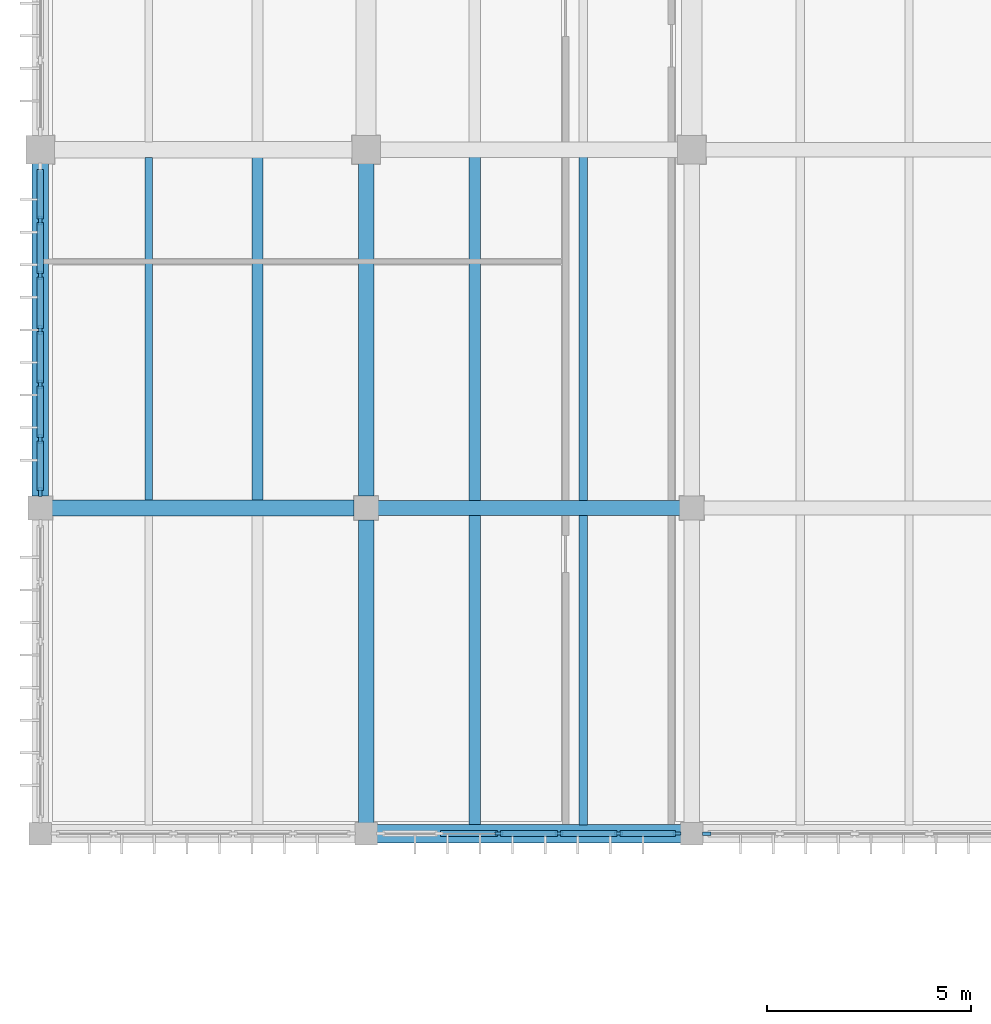
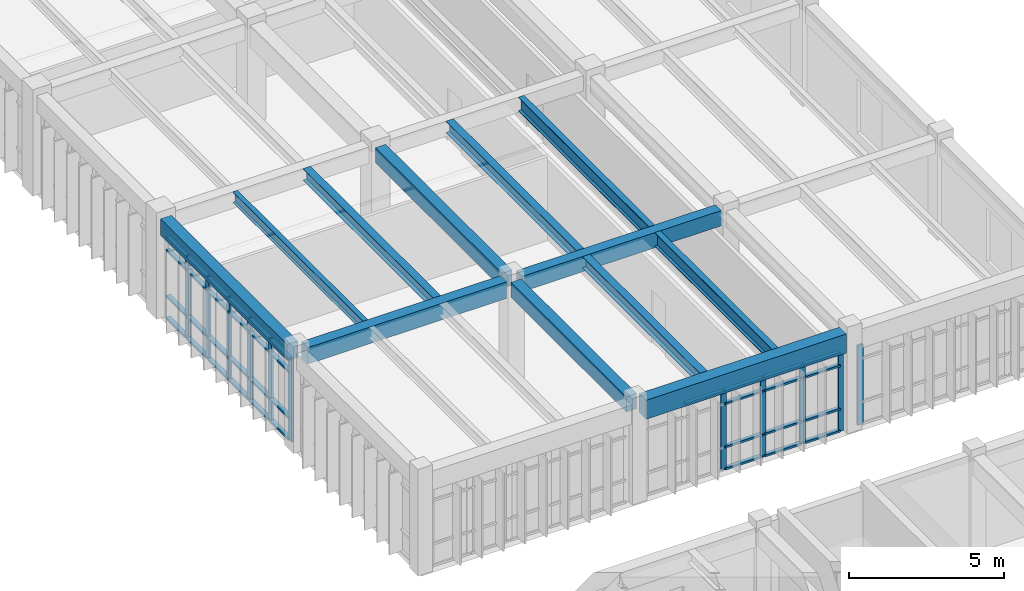
# One storey, part 8 of 67: 48 members, 12 beams, 3 elements without a shape of their own.
"""IFC4 building model written with IfcOpenShell, lengths in metres."""

from ifc_helpers import new_model, si_unit, direction, frame, origin, origin_2d, place, context, subcontext, project, spatial, rectangle, i_section, extrude, material, material_profile, profile_set, type_object, element, aggregate, save


model = new_model("IFC4")

# Units and contexts
model_context = context("Model", 3, precision=1e-05, world=origin(), true_north=direction((0.0, 1.0)))
body_context = subcontext(model_context, "Body", "Model", "MODEL_VIEW")
ifc_project = project(units=[si_unit("LENGTHUNIT", "METRE"), si_unit("AREAUNIT", "SQUARE_METRE"), si_unit("VOLUMEUNIT", "CUBIC_METRE"), si_unit("PLANEANGLEUNIT", "RADIAN"), si_unit("MASSUNIT", "GRAM", prefix="KILO")], contexts=[model_context])

# Site, building, storey
site_placement = place(None, origin())
site = spatial("IfcSite", under=ifc_project, at=site_placement, CompositionType="ELEMENT")
building_placement = place(site_placement, origin())
building = spatial("IfcBuilding", under=site, at=building_placement, Name="Tlaxcora Railside Police Headquarters", CompositionType="ELEMENT")
storey_placement = place(building_placement, frame((0.0, 0.0, 4.800048828125)))
storey = spatial("IfcBuildingStorey", under=building, at=storey_placement, Name="L01", CompositionType="ELEMENT", Elevation=4.800048828125)

# Curtain wall, members
ifc_material_1 = material(Name="Thermally broken low-E insulated glazing", Category="glass")
curtain_wall_type_1 = type_object("IfcCurtainWallType", Name="Unitised Curtain Wall Assembly CW-23", PredefinedType="NOTDEFINED", material=ifc_material_1)
curtain_wall_1_placement = place(storey_placement, origin())
curtain_wall_1 = element("IfcCurtainWall", 1, at=curtain_wall_1_placement, inside=storey, type_object=curtain_wall_type_1, Name="V5 L01 curtain wall 48", PredefinedType="NOTDEFINED")
ifc_material_2 = material(Name="Anodised aluminium framing", Category="aluminium")
ifc_material_profile_1 = material_profile(ifc_material_2, rectangle(XDim=0.080078125, YDim=0.219970703125, at=origin_2d()), Name="AL80X220")
ifc_profile_set_1 = profile_set([ifc_material_profile_1], Name="Anodised aluminium framing")
member_type_1 = type_object("IfcMemberType", Name="Curtain Wall Mullion CW-31", PredefinedType="MULLION", material=ifc_profile_set_1)
member_1_placement = place(storey_placement, frame((5.199951171875, 59.058349609375, 0.0), z_axis=(0.0, 0.0, 1.0), x_axis=(1.0, 0.0, 0.0)))
member_1 = element("IfcMember", 2, at=member_1_placement, type_object=member_type_1, Name="CW mullion 2", PredefinedType="MULLION", context=body_context, shape_type="SweptSolid", body=[
    extrude(rectangle(XDim=0.080078125, YDim=0.219970703125, at=origin_2d()), origin(), (0.0, 0.0, 1.0), 3.239990234375),
])
member_2_placement = place(storey_placement, frame((5.199951171875, 57.716552734375, 0.0), z_axis=(0.0, 0.0, 1.0), x_axis=(1.0, 0.0, 0.0)))
member_2 = element("IfcMember", 3, at=member_2_placement, type_object=member_type_1, Name="CW mullion 3", PredefinedType="MULLION", context=body_context, shape_type="SweptSolid", body=[
    extrude(rectangle(XDim=0.080078125, YDim=0.219970703125, at=origin_2d()), origin(), (0.0, 0.0, 1.0), 3.239990234375),
])
member_3_placement = place(storey_placement, frame((5.199951171875, 56.375, 0.0), z_axis=(0.0, 0.0, 1.0), x_axis=(1.0, 0.0, 0.0)))
member_3 = element("IfcMember", 4, at=member_3_placement, type_object=member_type_1, Name="CW mullion 4", PredefinedType="MULLION", context=body_context, shape_type="SweptSolid", body=[
    extrude(rectangle(XDim=0.080078125, YDim=0.219970703125, at=origin_2d()), origin(), (0.0, 0.0, 1.0), 3.239990234375),
])
member_4_placement = place(storey_placement, frame((5.199951171875, 55.033447265625, 0.0), z_axis=(0.0, 0.0, 1.0), x_axis=(1.0, 0.0, 0.0)))
member_4 = element("IfcMember", 5, at=member_4_placement, type_object=member_type_1, Name="CW mullion 5", PredefinedType="MULLION", context=body_context, shape_type="SweptSolid", body=[
    extrude(rectangle(XDim=0.080078125, YDim=0.219970703125, at=origin_2d()), origin(), (0.0, 0.0, 1.0), 3.239990234375),
])
member_5_placement = place(storey_placement, frame((5.199951171875, 53.691650390625, 0.0), z_axis=(0.0, 0.0, 1.0), x_axis=(1.0, 0.0, 0.0)))
member_5 = element("IfcMember", 6, at=member_5_placement, type_object=member_type_1, Name="CW mullion 6", PredefinedType="MULLION", context=body_context, shape_type="SweptSolid", body=[
    extrude(rectangle(XDim=0.080078125, YDim=0.219970703125, at=origin_2d()), origin(), (0.0, 0.0, 1.0), 3.239990234375),
])
member_6_placement = place(storey_placement, frame((5.199951171875, 52.389892578125, 0.0), z_axis=(0.0, 0.0, 1.0), x_axis=(1.0, 0.0, 0.0)))
member_6 = element("IfcMember", 7, at=member_6_placement, type_object=member_type_1, Name="CW mullion 7", PredefinedType="MULLION", context=body_context, shape_type="SweptSolid", body=[
    extrude(rectangle(XDim=0.080078125, YDim=0.219970703125, at=origin_2d()), origin(), (0.0, 0.0, 1.0), 3.239990234375),
])

curtain_wall_type_2 = type_object("IfcCurtainWallType", Name="Unitised Curtain Wall Assembly CW-15", PredefinedType="NOTDEFINED", material=ifc_material_1)
curtain_wall_2_placement = place(storey_placement, origin())
curtain_wall_2 = element("IfcCurtainWall", 8, at=curtain_wall_2_placement, inside=storey, type_object=curtain_wall_type_2, Name="V5 L01 curtain wall 30", PredefinedType="NOTDEFINED")
ifc_material_profile_2 = material_profile(ifc_material_2, rectangle(XDim=0.074951171875, YDim=0.199951171875, at=origin_2d()), Name="AL75X200")
ifc_profile_set_2 = profile_set([ifc_material_profile_2], Name="Anodised aluminium framing")
member_type_2 = type_object("IfcMemberType", Name="Curtain Wall Mullion CW-58", PredefinedType="MULLION", material=ifc_profile_set_2)
member_7_placement = place(storey_placement, frame((16.465087890625, 44.0, 0.0), z_axis=(0.0, 0.0, 1.0), x_axis=(0.0, 1.0, 0.0)))
member_7 = element("IfcMember", 9, at=member_7_placement, type_object=member_type_2, Name="CW mullion 3", PredefinedType="MULLION", context=body_context, shape_type="SweptSolid", body=[
    extrude(rectangle(XDim=0.074951171875, YDim=0.199951171875, at=origin_2d()), origin(), (0.0, 0.0, 1.0), 3.139892578125),
])
member_8_placement = place(storey_placement, frame((17.93505859375, 44.0, 0.0), z_axis=(0.0, 0.0, 1.0), x_axis=(0.0, 1.0, 0.0)))
member_8 = element("IfcMember", 10, at=member_8_placement, type_object=member_type_2, Name="CW mullion 4", PredefinedType="MULLION", context=body_context, shape_type="SweptSolid", body=[
    extrude(rectangle(XDim=0.074951171875, YDim=0.199951171875, at=origin_2d()), origin(), (0.0, 0.0, 1.0), 3.139892578125),
])
member_9_placement = place(storey_placement, frame((19.405029296875, 44.0, 0.0), z_axis=(0.0, 0.0, 1.0), x_axis=(0.0, 1.0, 0.0)))
member_9 = element("IfcMember", 11, at=member_9_placement, type_object=member_type_2, Name="CW mullion 5", PredefinedType="MULLION", context=body_context, shape_type="SweptSolid", body=[
    extrude(rectangle(XDim=0.074951171875, YDim=0.199951171875, at=origin_2d()), origin(), (0.0, 0.0, 1.0), 3.139892578125),
])
member_10_placement = place(storey_placement, frame((20.83740234375, 44.0, 0.0), z_axis=(0.0, 0.0, 1.0), x_axis=(0.0, 1.0, 0.0)))
member_10 = element("IfcMember", 12, at=member_10_placement, type_object=member_type_2, Name="CW mullion 6", PredefinedType="MULLION", context=body_context, shape_type="SweptSolid", body=[
    extrude(rectangle(XDim=0.074951171875, YDim=0.199951171875, at=origin_2d()), origin(), (0.0, 0.0, 1.0), 3.139892578125),
])

# Curtain wall, member
curtain_wall_type_3 = type_object("IfcCurtainWallType", Name="Unitised Curtain Wall Assembly CW-83", PredefinedType="NOTDEFINED", material=ifc_material_1)
curtain_wall_3_placement = place(storey_placement, origin())
curtain_wall_3 = element("IfcCurtainWall", 13, at=curtain_wall_3_placement, inside=storey, type_object=curtain_wall_type_3, Name="V5 L01 curtain wall 31", PredefinedType="NOTDEFINED")
ifc_material_profile_3 = material_profile(ifc_material_2, rectangle(XDim=0.080078125, YDim=0.2099609375, at=origin_2d()), Name="AL80X210")
ifc_profile_set_3 = profile_set([ifc_material_profile_3], Name="Anodised aluminium framing")
member_type_3 = type_object("IfcMemberType", Name="Curtain Wall Mullion CW-76", PredefinedType="MULLION", material=ifc_profile_set_3)
member_11_placement = place(storey_placement, frame((21.56494140625, 44.0, 0.0), z_axis=(0.0, 0.0, 1.0), x_axis=(0.0, 1.0, 0.0)))
member_11 = element("IfcMember", 14, at=member_11_placement, type_object=member_type_3, Name="CW mullion 1", PredefinedType="MULLION", context=body_context, shape_type="SweptSolid", body=[
    extrude(rectangle(XDim=0.080078125, YDim=0.2099609375, at=origin_2d()), origin(), (0.0, 0.0, 1.0), 3.139892578125),
])
aggregate(curtain_wall_3, [member_11])

# Member
ifc_material_profile_4 = material_profile(ifc_material_2, rectangle(XDim=0.14990234375, YDim=0.074951171875, at=origin_2d()), Name="AL75X150")
ifc_profile_set_4 = profile_set([ifc_material_profile_4], Name="Anodised aluminium framing")
member_type_4 = type_object("IfcMemberType", Name="Curtain Wall Transom CW-28", PredefinedType="USERDEFINED", material=ifc_profile_set_4)
member_12_placement = place(storey_placement, frame((15.032470703125, 44.0, 3.1025390625), z_axis=(1.0, 0.0, 0.0), x_axis=(0.0, 1.0, 0.0)))
member_12 = element("IfcMember", 15, at=member_12_placement, type_object=member_type_4, Name="CW transom 2.4", ObjectType="TRANSOM", PredefinedType="USERDEFINED", context=body_context, shape_type="SweptSolid", body=[
    extrude(rectangle(XDim=0.14990234375, YDim=0.074951171875, at=origin_2d()), origin(), (0.0, 0.0, 1.0), 1.39501953125),
])

member_13_placement = place(storey_placement, frame((16.50244140625, 44.0, 0.037353515625), z_axis=(1.0, 0.0, 0.0), x_axis=(0.0, 1.0, 0.0)))
member_13 = element("IfcMember", 16, at=member_13_placement, type_object=member_type_4, Name="CW transom 3.1", ObjectType="TRANSOM", PredefinedType="USERDEFINED", context=body_context, shape_type="SweptSolid", body=[
    extrude(rectangle(XDim=0.14990234375, YDim=0.074951171875, at=origin_2d()), origin(), (0.0, 0.0, 1.0), 1.39501953125),
])

member_14_placement = place(storey_placement, frame((16.50244140625, 44.0, 0.89990234375), z_axis=(1.0, 0.0, 0.0), x_axis=(0.0, 1.0, 0.0)))
member_14 = element("IfcMember", 17, at=member_14_placement, type_object=member_type_4, Name="CW transom 3.2", ObjectType="TRANSOM", PredefinedType="USERDEFINED", context=body_context, shape_type="SweptSolid", body=[
    extrude(rectangle(XDim=0.14990234375, YDim=0.074951171875, at=origin_2d()), origin(), (0.0, 0.0, 1.0), 1.39501953125),
])

member_15_placement = place(storey_placement, frame((16.50244140625, 44.0, 2.60986328125), z_axis=(1.0, 0.0, 0.0), x_axis=(0.0, 1.0, 0.0)))
member_15 = element("IfcMember", 18, at=member_15_placement, type_object=member_type_4, Name="CW transom 3.3", ObjectType="TRANSOM", PredefinedType="USERDEFINED", context=body_context, shape_type="SweptSolid", body=[
    extrude(rectangle(XDim=0.14990234375, YDim=0.074951171875, at=origin_2d()), origin(), (0.0, 0.0, 1.0), 1.39501953125),
])

member_16_placement = place(storey_placement, frame((16.50244140625, 44.0, 3.1025390625), z_axis=(1.0, 0.0, 0.0), x_axis=(0.0, 1.0, 0.0)))
member_16 = element("IfcMember", 19, at=member_16_placement, type_object=member_type_4, Name="CW transom 3.4", ObjectType="TRANSOM", PredefinedType="USERDEFINED", context=body_context, shape_type="SweptSolid", body=[
    extrude(rectangle(XDim=0.14990234375, YDim=0.074951171875, at=origin_2d()), origin(), (0.0, 0.0, 1.0), 1.39501953125),
])

member_17_placement = place(storey_placement, frame((17.972412109375, 44.0, 0.037353515625), z_axis=(1.0, 0.0, 0.0), x_axis=(0.0, 1.0, 0.0)))
member_17 = element("IfcMember", 20, at=member_17_placement, type_object=member_type_4, Name="CW transom 4.1", ObjectType="TRANSOM", PredefinedType="USERDEFINED", context=body_context, shape_type="SweptSolid", body=[
    extrude(rectangle(XDim=0.14990234375, YDim=0.074951171875, at=origin_2d()), origin(), (0.0, 0.0, 1.0), 1.39501953125),
])

member_18_placement = place(storey_placement, frame((17.972412109375, 44.0, 0.89990234375), z_axis=(1.0, 0.0, 0.0), x_axis=(0.0, 1.0, 0.0)))
member_18 = element("IfcMember", 21, at=member_18_placement, type_object=member_type_4, Name="CW transom 4.2", ObjectType="TRANSOM", PredefinedType="USERDEFINED", context=body_context, shape_type="SweptSolid", body=[
    extrude(rectangle(XDim=0.14990234375, YDim=0.074951171875, at=origin_2d()), origin(), (0.0, 0.0, 1.0), 1.39501953125),
])

member_19_placement = place(storey_placement, frame((17.972412109375, 44.0, 2.60986328125), z_axis=(1.0, 0.0, 0.0), x_axis=(0.0, 1.0, 0.0)))
member_19 = element("IfcMember", 22, at=member_19_placement, type_object=member_type_4, Name="CW transom 4.3", ObjectType="TRANSOM", PredefinedType="USERDEFINED", context=body_context, shape_type="SweptSolid", body=[
    extrude(rectangle(XDim=0.14990234375, YDim=0.074951171875, at=origin_2d()), origin(), (0.0, 0.0, 1.0), 1.39501953125),
])

member_20_placement = place(storey_placement, frame((17.972412109375, 44.0, 3.1025390625), z_axis=(1.0, 0.0, 0.0), x_axis=(0.0, 1.0, 0.0)))
member_20 = element("IfcMember", 23, at=member_20_placement, type_object=member_type_4, Name="CW transom 4.4", ObjectType="TRANSOM", PredefinedType="USERDEFINED", context=body_context, shape_type="SweptSolid", body=[
    extrude(rectangle(XDim=0.14990234375, YDim=0.074951171875, at=origin_2d()), origin(), (0.0, 0.0, 1.0), 1.39501953125),
])

member_21_placement = place(storey_placement, frame((19.4423828125, 44.0, 0.037353515625), z_axis=(1.0, 0.0, 0.0), x_axis=(0.0, 1.0, 0.0)))
member_21 = element("IfcMember", 24, at=member_21_placement, type_object=member_type_4, Name="CW transom 5.1", ObjectType="TRANSOM", PredefinedType="USERDEFINED", context=body_context, shape_type="SweptSolid", body=[
    extrude(rectangle(XDim=0.14990234375, YDim=0.074951171875, at=origin_2d()), origin(), (0.0, 0.0, 1.0), 1.357666015625),
])

member_22_placement = place(storey_placement, frame((19.4423828125, 44.0, 0.89990234375), z_axis=(1.0, 0.0, 0.0), x_axis=(0.0, 1.0, 0.0)))
member_22 = element("IfcMember", 25, at=member_22_placement, type_object=member_type_4, Name="CW transom 5.2", ObjectType="TRANSOM", PredefinedType="USERDEFINED", context=body_context, shape_type="SweptSolid", body=[
    extrude(rectangle(XDim=0.14990234375, YDim=0.074951171875, at=origin_2d()), origin(), (0.0, 0.0, 1.0), 1.357666015625),
])

member_23_placement = place(storey_placement, frame((19.4423828125, 44.0, 2.60986328125), z_axis=(1.0, 0.0, 0.0), x_axis=(0.0, 1.0, 0.0)))
member_23 = element("IfcMember", 26, at=member_23_placement, type_object=member_type_4, Name="CW transom 5.3", ObjectType="TRANSOM", PredefinedType="USERDEFINED", context=body_context, shape_type="SweptSolid", body=[
    extrude(rectangle(XDim=0.14990234375, YDim=0.074951171875, at=origin_2d()), origin(), (0.0, 0.0, 1.0), 1.357666015625),
])

member_24_placement = place(storey_placement, frame((19.4423828125, 44.0, 3.1025390625), z_axis=(1.0, 0.0, 0.0), x_axis=(0.0, 1.0, 0.0)))
member_24 = element("IfcMember", 27, at=member_24_placement, type_object=member_type_4, Name="CW transom 5.4", ObjectType="TRANSOM", PredefinedType="USERDEFINED", context=body_context, shape_type="SweptSolid", body=[
    extrude(rectangle(XDim=0.14990234375, YDim=0.074951171875, at=origin_2d()), origin(), (0.0, 0.0, 1.0), 1.357666015625),
])

aggregate(curtain_wall_2, [member_7, member_8, member_9, member_10, member_12, member_13, member_14, member_15, member_16, member_17, member_18, member_19, member_20, member_21, member_22, member_23, member_24])

ifc_material_profile_5 = material_profile(ifc_material_2, rectangle(XDim=0.1650390625, YDim=0.080078125, at=origin_2d()), Name="AL80X165")
ifc_profile_set_5 = profile_set([ifc_material_profile_5], Name="Anodised aluminium framing")
member_type_5 = type_object("IfcMemberType", Name="Curtain Wall Transom CW-62", PredefinedType="USERDEFINED", material=ifc_profile_set_5)
member_25_placement = place(storey_placement, frame((5.199951171875, 60.320068359375, 0.0400390625), z_axis=(0.0, -1.0, 0.0), x_axis=(1.0, 0.0, 0.0)))
member_25 = element("IfcMember", 28, at=member_25_placement, type_object=member_type_5, Name="CW transom 1.1", ObjectType="TRANSOM", PredefinedType="USERDEFINED", context=body_context, shape_type="SweptSolid", body=[
    extrude(rectangle(XDim=0.1650390625, YDim=0.080078125, at=origin_2d()), origin(), (0.0, 0.0, 1.0), 1.2216796875),
])

member_26_placement = place(storey_placement, frame((5.199951171875, 60.320068359375, 0.89990234375), z_axis=(0.0, -1.0, 0.0), x_axis=(1.0, 0.0, 0.0)))
member_26 = element("IfcMember", 29, at=member_26_placement, type_object=member_type_5, Name="CW transom 1.2", ObjectType="TRANSOM", PredefinedType="USERDEFINED", context=body_context, shape_type="SweptSolid", body=[
    extrude(rectangle(XDim=0.1650390625, YDim=0.080078125, at=origin_2d()), origin(), (0.0, 0.0, 1.0), 1.2216796875),
])

member_27_placement = place(storey_placement, frame((5.199951171875, 60.320068359375, 2.7099609375), z_axis=(0.0, -1.0, 0.0), x_axis=(1.0, 0.0, 0.0)))
member_27 = element("IfcMember", 30, at=member_27_placement, type_object=member_type_5, Name="CW transom 1.3", ObjectType="TRANSOM", PredefinedType="USERDEFINED", context=body_context, shape_type="SweptSolid", body=[
    extrude(rectangle(XDim=0.1650390625, YDim=0.080078125, at=origin_2d()), origin(), (0.0, 0.0, 1.0), 1.2216796875),
])

member_28_placement = place(storey_placement, frame((5.199951171875, 60.320068359375, 3.199951171875), z_axis=(0.0, -1.0, 0.0), x_axis=(1.0, 0.0, 0.0)))
member_28 = element("IfcMember", 31, at=member_28_placement, type_object=member_type_5, Name="CW transom 1.4", ObjectType="TRANSOM", PredefinedType="USERDEFINED", context=body_context, shape_type="SweptSolid", body=[
    extrude(rectangle(XDim=0.1650390625, YDim=0.080078125, at=origin_2d()), origin(), (0.0, 0.0, 1.0), 1.2216796875),
])

member_29_placement = place(storey_placement, frame((5.199951171875, 59.018310546875, 0.0400390625), z_axis=(0.0, -1.0, 0.0), x_axis=(1.0, 0.0, 0.0)))
member_29 = element("IfcMember", 32, at=member_29_placement, type_object=member_type_5, Name="CW transom 2.1", ObjectType="TRANSOM", PredefinedType="USERDEFINED", context=body_context, shape_type="SweptSolid", body=[
    extrude(rectangle(XDim=0.1650390625, YDim=0.080078125, at=origin_2d()), origin(), (0.0, 0.0, 1.0), 1.26171875),
])

member_30_placement = place(storey_placement, frame((5.199951171875, 59.018310546875, 0.89990234375), z_axis=(0.0, -1.0, 0.0), x_axis=(1.0, 0.0, 0.0)))
member_30 = element("IfcMember", 33, at=member_30_placement, type_object=member_type_5, Name="CW transom 2.2", ObjectType="TRANSOM", PredefinedType="USERDEFINED", context=body_context, shape_type="SweptSolid", body=[
    extrude(rectangle(XDim=0.1650390625, YDim=0.080078125, at=origin_2d()), origin(), (0.0, 0.0, 1.0), 1.26171875),
])

member_31_placement = place(storey_placement, frame((5.199951171875, 59.018310546875, 2.7099609375), z_axis=(0.0, -1.0, 0.0), x_axis=(1.0, 0.0, 0.0)))
member_31 = element("IfcMember", 34, at=member_31_placement, type_object=member_type_5, Name="CW transom 2.3", ObjectType="TRANSOM", PredefinedType="USERDEFINED", context=body_context, shape_type="SweptSolid", body=[
    extrude(rectangle(XDim=0.1650390625, YDim=0.080078125, at=origin_2d()), origin(), (0.0, 0.0, 1.0), 1.26171875),
])

member_32_placement = place(storey_placement, frame((5.199951171875, 59.018310546875, 3.199951171875), z_axis=(0.0, -1.0, 0.0), x_axis=(1.0, 0.0, 0.0)))
member_32 = element("IfcMember", 35, at=member_32_placement, type_object=member_type_5, Name="CW transom 2.4", ObjectType="TRANSOM", PredefinedType="USERDEFINED", context=body_context, shape_type="SweptSolid", body=[
    extrude(rectangle(XDim=0.1650390625, YDim=0.080078125, at=origin_2d()), origin(), (0.0, 0.0, 1.0), 1.26171875),
])

member_33_placement = place(storey_placement, frame((5.199951171875, 57.6767578125, 0.0400390625), z_axis=(0.0, -1.0, 0.0), x_axis=(1.0, 0.0, 0.0)))
member_33 = element("IfcMember", 36, at=member_33_placement, type_object=member_type_5, Name="CW transom 3.1", ObjectType="TRANSOM", PredefinedType="USERDEFINED", context=body_context, shape_type="SweptSolid", body=[
    extrude(rectangle(XDim=0.1650390625, YDim=0.080078125, at=origin_2d()), origin(), (0.0, 0.0, 1.0), 1.26171875),
])

member_34_placement = place(storey_placement, frame((5.199951171875, 57.6767578125, 0.89990234375), z_axis=(0.0, -1.0, 0.0), x_axis=(1.0, 0.0, 0.0)))
member_34 = element("IfcMember", 37, at=member_34_placement, type_object=member_type_5, Name="CW transom 3.2", ObjectType="TRANSOM", PredefinedType="USERDEFINED", context=body_context, shape_type="SweptSolid", body=[
    extrude(rectangle(XDim=0.1650390625, YDim=0.080078125, at=origin_2d()), origin(), (0.0, 0.0, 1.0), 1.26171875),
])

member_35_placement = place(storey_placement, frame((5.199951171875, 57.6767578125, 2.7099609375), z_axis=(0.0, -1.0, 0.0), x_axis=(1.0, 0.0, 0.0)))
member_35 = element("IfcMember", 38, at=member_35_placement, type_object=member_type_5, Name="CW transom 3.3", ObjectType="TRANSOM", PredefinedType="USERDEFINED", context=body_context, shape_type="SweptSolid", body=[
    extrude(rectangle(XDim=0.1650390625, YDim=0.080078125, at=origin_2d()), origin(), (0.0, 0.0, 1.0), 1.26171875),
])

member_36_placement = place(storey_placement, frame((5.199951171875, 57.6767578125, 3.199951171875), z_axis=(0.0, -1.0, 0.0), x_axis=(1.0, 0.0, 0.0)))
member_36 = element("IfcMember", 39, at=member_36_placement, type_object=member_type_5, Name="CW transom 3.4", ObjectType="TRANSOM", PredefinedType="USERDEFINED", context=body_context, shape_type="SweptSolid", body=[
    extrude(rectangle(XDim=0.1650390625, YDim=0.080078125, at=origin_2d()), origin(), (0.0, 0.0, 1.0), 1.26171875),
])

member_37_placement = place(storey_placement, frame((5.199951171875, 56.3349609375, 0.0400390625), z_axis=(0.0, -1.0, 0.0), x_axis=(1.0, 0.0, 0.0)))
member_37 = element("IfcMember", 40, at=member_37_placement, type_object=member_type_5, Name="CW transom 4.1", ObjectType="TRANSOM", PredefinedType="USERDEFINED", context=body_context, shape_type="SweptSolid", body=[
    extrude(rectangle(XDim=0.1650390625, YDim=0.080078125, at=origin_2d()), origin(), (0.0, 0.0, 1.0), 1.26171875),
])

member_38_placement = place(storey_placement, frame((5.199951171875, 56.3349609375, 0.89990234375), z_axis=(0.0, -1.0, 0.0), x_axis=(1.0, 0.0, 0.0)))
member_38 = element("IfcMember", 41, at=member_38_placement, type_object=member_type_5, Name="CW transom 4.2", ObjectType="TRANSOM", PredefinedType="USERDEFINED", context=body_context, shape_type="SweptSolid", body=[
    extrude(rectangle(XDim=0.1650390625, YDim=0.080078125, at=origin_2d()), origin(), (0.0, 0.0, 1.0), 1.26171875),
])

member_39_placement = place(storey_placement, frame((5.199951171875, 56.3349609375, 2.7099609375), z_axis=(0.0, -1.0, 0.0), x_axis=(1.0, 0.0, 0.0)))
member_39 = element("IfcMember", 42, at=member_39_placement, type_object=member_type_5, Name="CW transom 4.3", ObjectType="TRANSOM", PredefinedType="USERDEFINED", context=body_context, shape_type="SweptSolid", body=[
    extrude(rectangle(XDim=0.1650390625, YDim=0.080078125, at=origin_2d()), origin(), (0.0, 0.0, 1.0), 1.26171875),
])

member_40_placement = place(storey_placement, frame((5.199951171875, 56.3349609375, 3.199951171875), z_axis=(0.0, -1.0, 0.0), x_axis=(1.0, 0.0, 0.0)))
member_40 = element("IfcMember", 43, at=member_40_placement, type_object=member_type_5, Name="CW transom 4.4", ObjectType="TRANSOM", PredefinedType="USERDEFINED", context=body_context, shape_type="SweptSolid", body=[
    extrude(rectangle(XDim=0.1650390625, YDim=0.080078125, at=origin_2d()), origin(), (0.0, 0.0, 1.0), 1.26171875),
])

member_41_placement = place(storey_placement, frame((5.199951171875, 54.993408203125, 0.0400390625), z_axis=(0.0, -1.0, 0.0), x_axis=(1.0, 0.0, 0.0)))
member_41 = element("IfcMember", 44, at=member_41_placement, type_object=member_type_5, Name="CW transom 5.1", ObjectType="TRANSOM", PredefinedType="USERDEFINED", context=body_context, shape_type="SweptSolid", body=[
    extrude(rectangle(XDim=0.1650390625, YDim=0.080078125, at=origin_2d()), origin(), (0.0, 0.0, 1.0), 1.26171875),
])

member_42_placement = place(storey_placement, frame((5.199951171875, 54.993408203125, 0.89990234375), z_axis=(0.0, -1.0, 0.0), x_axis=(1.0, 0.0, 0.0)))
member_42 = element("IfcMember", 45, at=member_42_placement, type_object=member_type_5, Name="CW transom 5.2", ObjectType="TRANSOM", PredefinedType="USERDEFINED", context=body_context, shape_type="SweptSolid", body=[
    extrude(rectangle(XDim=0.1650390625, YDim=0.080078125, at=origin_2d()), origin(), (0.0, 0.0, 1.0), 1.26171875),
])

member_43_placement = place(storey_placement, frame((5.199951171875, 54.993408203125, 2.7099609375), z_axis=(0.0, -1.0, 0.0), x_axis=(1.0, 0.0, 0.0)))
member_43 = element("IfcMember", 46, at=member_43_placement, type_object=member_type_5, Name="CW transom 5.3", ObjectType="TRANSOM", PredefinedType="USERDEFINED", context=body_context, shape_type="SweptSolid", body=[
    extrude(rectangle(XDim=0.1650390625, YDim=0.080078125, at=origin_2d()), origin(), (0.0, 0.0, 1.0), 1.26171875),
])

member_44_placement = place(storey_placement, frame((5.199951171875, 54.993408203125, 3.199951171875), z_axis=(0.0, -1.0, 0.0), x_axis=(1.0, 0.0, 0.0)))
member_44 = element("IfcMember", 47, at=member_44_placement, type_object=member_type_5, Name="CW transom 5.4", ObjectType="TRANSOM", PredefinedType="USERDEFINED", context=body_context, shape_type="SweptSolid", body=[
    extrude(rectangle(XDim=0.1650390625, YDim=0.080078125, at=origin_2d()), origin(), (0.0, 0.0, 1.0), 1.26171875),
])

member_45_placement = place(storey_placement, frame((5.199951171875, 53.651611328125, 0.0400390625), z_axis=(0.0, -1.0, 0.0), x_axis=(1.0, 0.0, 0.0)))
member_45 = element("IfcMember", 48, at=member_45_placement, type_object=member_type_5, Name="CW transom 6.1", ObjectType="TRANSOM", PredefinedType="USERDEFINED", context=body_context, shape_type="SweptSolid", body=[
    extrude(rectangle(XDim=0.1650390625, YDim=0.080078125, at=origin_2d()), origin(), (0.0, 0.0, 1.0), 1.2216796875),
])

member_46_placement = place(storey_placement, frame((5.199951171875, 53.651611328125, 0.89990234375), z_axis=(0.0, -1.0, 0.0), x_axis=(1.0, 0.0, 0.0)))
member_46 = element("IfcMember", 49, at=member_46_placement, type_object=member_type_5, Name="CW transom 6.2", ObjectType="TRANSOM", PredefinedType="USERDEFINED", context=body_context, shape_type="SweptSolid", body=[
    extrude(rectangle(XDim=0.1650390625, YDim=0.080078125, at=origin_2d()), origin(), (0.0, 0.0, 1.0), 1.2216796875),
])

member_47_placement = place(storey_placement, frame((5.199951171875, 53.651611328125, 2.7099609375), z_axis=(0.0, -1.0, 0.0), x_axis=(1.0, 0.0, 0.0)))
member_47 = element("IfcMember", 50, at=member_47_placement, type_object=member_type_5, Name="CW transom 6.3", ObjectType="TRANSOM", PredefinedType="USERDEFINED", context=body_context, shape_type="SweptSolid", body=[
    extrude(rectangle(XDim=0.1650390625, YDim=0.080078125, at=origin_2d()), origin(), (0.0, 0.0, 1.0), 1.2216796875),
])

member_48_placement = place(storey_placement, frame((5.199951171875, 53.651611328125, 3.199951171875), z_axis=(0.0, -1.0, 0.0), x_axis=(1.0, 0.0, 0.0)))
member_48 = element("IfcMember", 51, at=member_48_placement, type_object=member_type_5, Name="CW transom 6.4", ObjectType="TRANSOM", PredefinedType="USERDEFINED", context=body_context, shape_type="SweptSolid", body=[
    extrude(rectangle(XDim=0.1650390625, YDim=0.080078125, at=origin_2d()), origin(), (0.0, 0.0, 1.0), 1.2216796875),
])

aggregate(curtain_wall_1, [member_1, member_2, member_3, member_4, member_5, member_6, member_25, member_26, member_27, member_28, member_29, member_30, member_31, member_32, member_33, member_34, member_35, member_36, member_37, member_38, member_39, member_40, member_41, member_42, member_43, member_44, member_45, member_46, member_47, member_48])

# Beams
ifc_material_3 = material(Name="Concrete C40/50", Category="concrete")
ifc_material_profile_6 = material_profile(ifc_material_3, rectangle(XDim=0.39990234375, YDim=0.64990234375, at=origin_2d()), Name="RC400X650")
ifc_profile_set_6 = profile_set([ifc_material_profile_6], Name="Concrete C40/50")
beam_type_1 = type_object("IfcBeamType", Name="Perimeter Spandrel Beam BM-46", PredefinedType="SPANDREL", material=ifc_profile_set_6)
beam_1_placement = place(storey_placement, frame((5.199951171875, 52.2900390625, 3.5849609375), z_axis=(0.0, 1.0, 0.0), x_axis=(-1.0, 0.0, 0.0)))
element("IfcBeam", 52, at=beam_1_placement, inside=storey, type_object=beam_type_1, Name="V5 L01 Y-girder X=5.2", PredefinedType="SPANDREL", context=body_context, shape_type="SweptSolid", body=[
    extrude(rectangle(XDim=0.39990234375, YDim=0.64990234375, at=origin_2d()), origin(), (0.0, 0.0, 1.0), 8.169921875),
])
ifc_material_profile_7 = material_profile(ifc_material_3, rectangle(XDim=0.449951171875, YDim=0.75, at=origin_2d()), Name="RC450X750")
ifc_profile_set_7 = profile_set([ifc_material_profile_7], Name="Concrete C40/50")
beam_type_2 = type_object("IfcBeamType", Name="Perimeter Spandrel Beam BM-86", PredefinedType="SPANDREL", material=ifc_profile_set_7)
beam_2_placement = place(storey_placement, frame((13.465087890625, 44.0, 3.534912109375), z_axis=(1.0, 0.0, 0.0), x_axis=(0.0, 1.0, 0.0)))
element("IfcBeam", 53, at=beam_2_placement, inside=storey, type_object=beam_type_2, Name="V5 L01 X-girder Y=44.0", PredefinedType="SPANDREL", context=body_context, shape_type="SweptSolid", body=[
    extrude(rectangle(XDim=0.449951171875, YDim=0.75, at=origin_2d()), origin(), (0.0, 0.0, 1.0), 7.469970703125),
])
ifc_material_profile_8 = material_profile(ifc_material_3, rectangle(XDim=0.3798828125, YDim=0.60009765625, at=origin_2d()), Name="RC380X600")
ifc_profile_set_8 = profile_set([ifc_material_profile_8], Name="Concrete C40/50")
beam_type_3 = type_object("IfcBeamType", Name="Primary Frame Girder BM-22", PredefinedType="BEAM", material=ifc_profile_set_8)
beam_3_placement = place(storey_placement, frame((13.489990234375, 52.0, 3.60986328125), z_axis=(1.0, 0.0, 0.0), x_axis=(0.0, 1.0, 0.0)))
element("IfcBeam", 54, at=beam_3_placement, inside=storey, type_object=beam_type_3, Name="V5 L01 X-girder Y=52.0", PredefinedType="BEAM", context=body_context, shape_type="SweptSolid", body=[
    extrude(rectangle(XDim=0.3798828125, YDim=0.60009765625, at=origin_2d()), origin(), (0.0, 0.0, 1.0), 7.419921875),
])
beam_4_placement = place(storey_placement, frame((13.199951171875, 44.264892578125, 3.60986328125), z_axis=(0.0, 1.0, 0.0), x_axis=(-1.0, 0.0, 0.0)))
element("IfcBeam", 55, at=beam_4_placement, inside=storey, type_object=beam_type_3, Name="V5 L01 Y-girder X=13.2", PredefinedType="BEAM", context=body_context, shape_type="SweptSolid", body=[
    extrude(rectangle(XDim=0.3798828125, YDim=0.60009765625, at=origin_2d()), origin(), (0.0, 0.0, 1.0), 7.445068359375),
])
beam_5_placement = place(storey_placement, frame((13.199951171875, 52.2900390625, 3.60986328125), z_axis=(0.0, 1.0, 0.0), x_axis=(-1.0, 0.0, 0.0)))
element("IfcBeam", 56, at=beam_5_placement, inside=storey, type_object=beam_type_3, Name="V5 L01 Y-girder X=13.2", PredefinedType="BEAM", context=body_context, shape_type="SweptSolid", body=[
    extrude(rectangle(XDim=0.3798828125, YDim=0.60009765625, at=origin_2d()), origin(), (0.0, 0.0, 1.0), 8.169921875),
])
ifc_material_profile_9 = material_profile(ifc_material_3, rectangle(XDim=0.39990234375, YDim=0.64990234375, at=origin_2d()), Name="RC400X650")
ifc_profile_set_9 = profile_set([ifc_material_profile_9], Name="Concrete C40/50")
beam_type_4 = type_object("IfcBeamType", Name="Primary Frame Girder BM-41", PredefinedType="BEAM", material=ifc_profile_set_9)
beam_6_placement = place(storey_placement, frame((5.489990234375, 52.0, 3.5849609375), z_axis=(1.0, 0.0, 0.0), x_axis=(0.0, 1.0, 0.0)))
element("IfcBeam", 57, at=beam_6_placement, inside=storey, type_object=beam_type_4, Name="V5 L01 X-girder Y=52.0", PredefinedType="BEAM", context=body_context, shape_type="SweptSolid", body=[
    extrude(rectangle(XDim=0.39990234375, YDim=0.64990234375, at=origin_2d()), origin(), (0.0, 0.0, 1.0), 7.419921875),
])
ifc_material_4 = material(Name="Steel ASTM A992 Grade 50", Category="steel")
ifc_material_profile_10 = material_profile(ifc_material_4, i_section(OverallWidth=0.280029296875, OverallDepth=0.4619140625, WebThickness=0.0107421875, FlangeThickness=0.017333984375, at=origin_2d()), Name="W18X76")
ifc_profile_set_10 = profile_set([ifc_material_profile_10], Name="Steel ASTM A992 Grade 50")
beam_type_5 = type_object("IfcBeamType", Name="Secondary Floor Joist BM-44", PredefinedType="JOIST", material=ifc_profile_set_10)
beam_7_placement = place(storey_placement, frame((15.86669921875, 44.217041015625, 3.678955078125), z_axis=(0.0, 1.0, 0.0), x_axis=(-1.0, 0.0, 0.0)))
element("IfcBeam", 58, at=beam_7_placement, inside=storey, type_object=beam_type_5, Name="V5 L01 floor joist X=15.87", PredefinedType="JOIST", context=body_context, shape_type="SweptSolid", body=[
    extrude(i_section(OverallWidth=0.280029296875, OverallDepth=0.4619140625, WebThickness=0.0107421875, FlangeThickness=0.017333984375, at=origin_2d()), origin(), (0.0, 0.0, 1.0), 7.60107421875),
])
beam_8_placement = place(storey_placement, frame((10.533203125, 52.19189453125, 3.678955078125), z_axis=(0.0, 1.0, 0.0), x_axis=(-1.0, 0.0, 0.0)))
element("IfcBeam", 59, at=beam_8_placement, inside=storey, type_object=beam_type_5, Name="V5 L01 floor joist X=10.53", PredefinedType="JOIST", context=body_context, shape_type="SweptSolid", body=[
    extrude(i_section(OverallWidth=0.280029296875, OverallDepth=0.4619140625, WebThickness=0.0107421875, FlangeThickness=0.017333984375, at=origin_2d()), origin(), (0.0, 0.0, 1.0), 8.416015625),
])
beam_9_placement = place(storey_placement, frame((15.86669921875, 52.181884765625, 3.678955078125), z_axis=(0.0, 1.0, 0.0), x_axis=(-1.0, 0.0, 0.0)))
element("IfcBeam", 60, at=beam_9_placement, inside=storey, type_object=beam_type_5, Name="V5 L01 floor joist X=15.87", PredefinedType="JOIST", context=body_context, shape_type="SweptSolid", body=[
    extrude(i_section(OverallWidth=0.280029296875, OverallDepth=0.4619140625, WebThickness=0.0107421875, FlangeThickness=0.017333984375, at=origin_2d()), origin(), (0.0, 0.0, 1.0), 8.43603515625),
])
ifc_material_profile_11 = material_profile(ifc_material_4, i_section(OverallWidth=0.180908203125, OverallDepth=0.4169921875, WebThickness=0.010009765625, FlangeThickness=0.018310546875, at=origin_2d()), Name="W16X57")
ifc_profile_set_11 = profile_set([ifc_material_profile_11], Name="Steel ASTM A992 Grade 50")
beam_type_6 = type_object("IfcBeamType", Name="Secondary Floor Joist BM-84", PredefinedType="JOIST", material=ifc_profile_set_11)
beam_10_placement = place(storey_placement, frame((7.86669921875, 52.19189453125, 3.701416015625), z_axis=(0.0, 1.0, 0.0), x_axis=(-1.0, 0.0, 0.0)))
element("IfcBeam", 61, at=beam_10_placement, inside=storey, type_object=beam_type_6, Name="V5 L01 floor joist X=7.87", PredefinedType="JOIST", context=body_context, shape_type="SweptSolid", body=[
    extrude(i_section(OverallWidth=0.180908203125, OverallDepth=0.4169921875, WebThickness=0.010009765625, FlangeThickness=0.018310546875, at=origin_2d()), origin(), (0.0, 0.0, 1.0), 8.416015625),
])
ifc_material_profile_12 = material_profile(ifc_material_4, i_section(OverallWidth=0.214111328125, OverallDepth=0.549072265625, WebThickness=0.0146484375, FlangeThickness=0.023681640625, at=origin_2d()), Name="W21X93")
ifc_profile_set_12 = profile_set([ifc_material_profile_12], Name="Steel ASTM A992 Grade 50")
beam_type_7 = type_object("IfcBeamType", Name="Secondary Floor Joist BM-97", PredefinedType="JOIST", material=ifc_profile_set_12)
beam_11_placement = place(storey_placement, frame((18.533203125, 44.217041015625, 3.635498046875), z_axis=(0.0, 1.0, 0.0), x_axis=(-1.0, 0.0, 0.0)))
element("IfcBeam", 62, at=beam_11_placement, inside=storey, type_object=beam_type_7, Name="V5 L01 floor joist X=18.53", PredefinedType="JOIST", context=body_context, shape_type="SweptSolid", body=[
    extrude(i_section(OverallWidth=0.214111328125, OverallDepth=0.549072265625, WebThickness=0.0146484375, FlangeThickness=0.023681640625, at=origin_2d()), origin(), (0.0, 0.0, 1.0), 7.60107421875),
])
beam_12_placement = place(storey_placement, frame((18.533203125, 52.181884765625, 3.635498046875), z_axis=(0.0, 1.0, 0.0), x_axis=(-1.0, 0.0, 0.0)))
element("IfcBeam", 63, at=beam_12_placement, inside=storey, type_object=beam_type_7, Name="V5 L01 floor joist X=18.53", PredefinedType="JOIST", context=body_context, shape_type="SweptSolid", body=[
    extrude(i_section(OverallWidth=0.214111328125, OverallDepth=0.549072265625, WebThickness=0.0146484375, FlangeThickness=0.023681640625, at=origin_2d()), origin(), (0.0, 0.0, 1.0), 8.43603515625),
])

save(model, "model.ifc")
